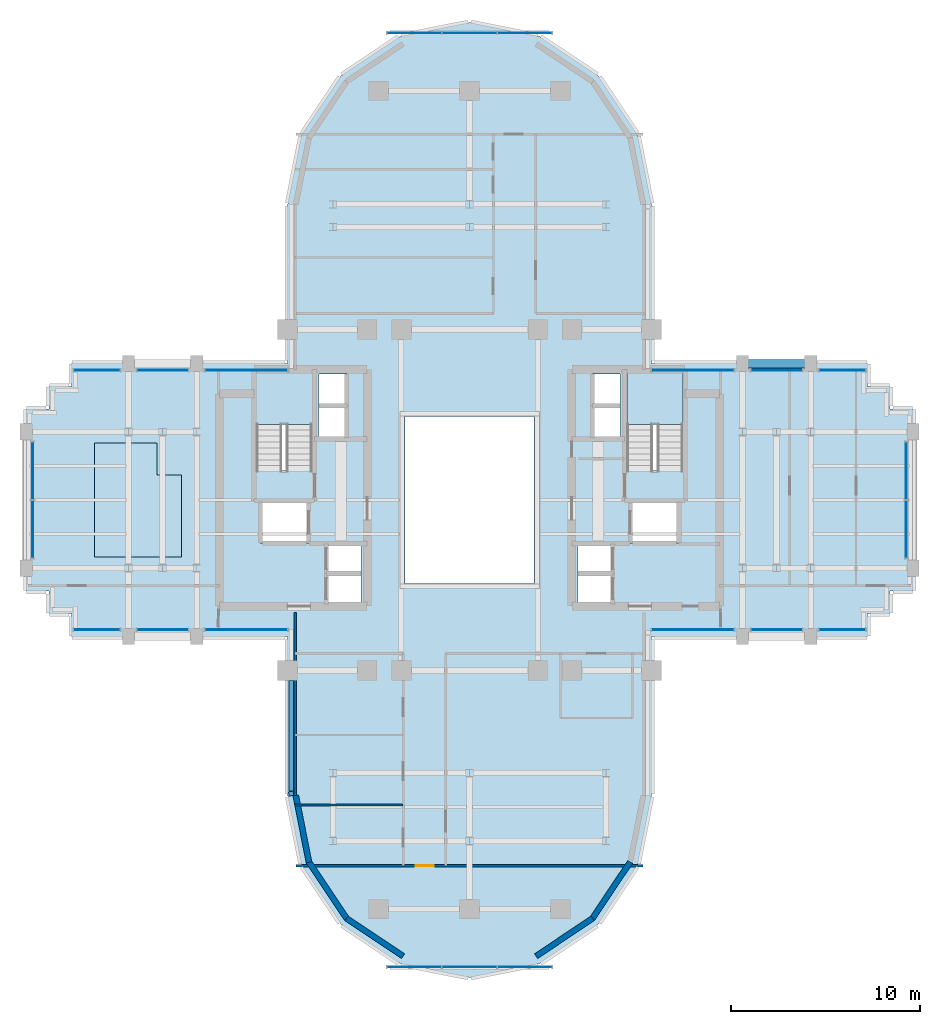
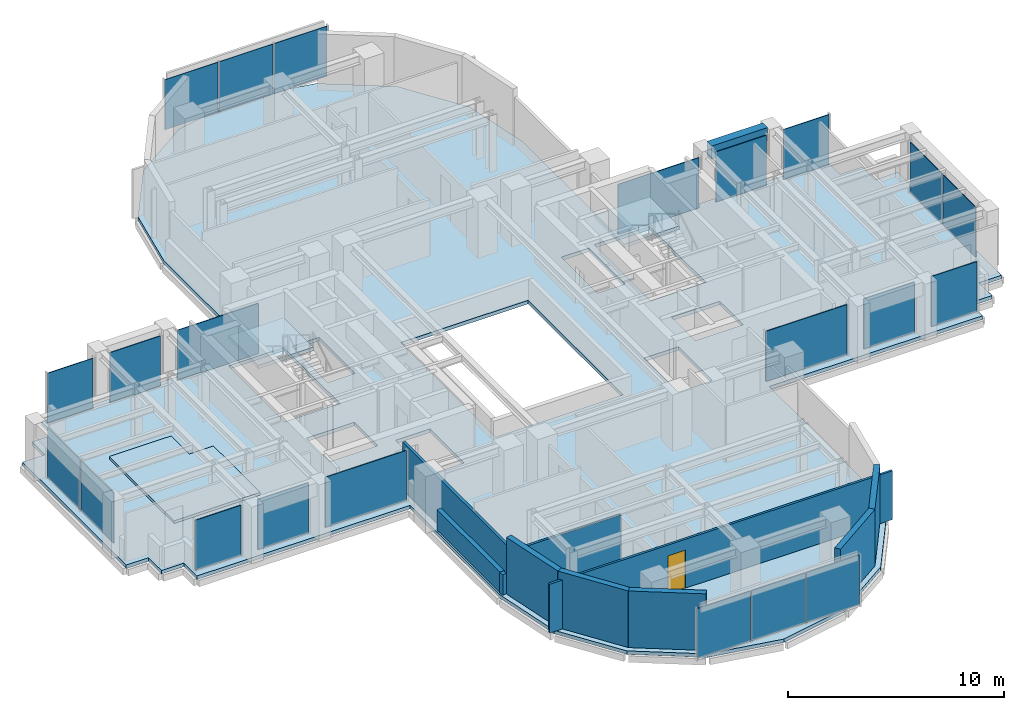
# One storey, part 7 of 13: 22 plates, 10 walls, 4 slabs, 1 beam, 1 door, 1 opening, 18 elements without a shape of their own.
"""IFC4 building model written with IfcOpenShell, lengths in metres."""

from ifc_helpers import new_model, si_unit, direction, frame, frame_2d, origin, origin_2d, place, context, subcontext, project, spatial, polyline, rectangle, outline, extrude, source, transform, mapped, material, layer, layer_set, material_profile, profile_set, type_object, element, fill, aggregate, save


model = new_model("IFC4")

# Units and contexts
model_context = context("Model", 3, precision=1e-05, world=origin(), true_north=direction((0.0, 1.0)))
body_context = subcontext(model_context, "Body", "Model", "MODEL_VIEW")
ifc_project = project(units=[si_unit("LENGTHUNIT", "METRE"), si_unit("AREAUNIT", "SQUARE_METRE"), si_unit("VOLUMEUNIT", "CUBIC_METRE"), si_unit("PLANEANGLEUNIT", "RADIAN"), si_unit("MASSUNIT", "GRAM", prefix="KILO")], contexts=[model_context])

# Site, building, storey
site_placement = place(None, origin())
site = spatial("IfcSite", under=ifc_project, at=site_placement, CompositionType="ELEMENT")
building_placement = place(site_placement, origin())
building = spatial("IfcBuilding", under=site, at=building_placement, Name="Keilestroom Media Tower", CompositionType="ELEMENT")
storey_placement = place(building_placement, frame((0.0, 0.0, 131.199951171875)))
storey = spatial("IfcBuildingStorey", under=building, at=storey_placement, Name="L35", CompositionType="ELEMENT", Elevation=131.199951171875)

# Beam
ifc_material_1 = material(Name="Precast concrete C40/50", Category="concrete")
ifc_material_profile = material_profile(ifc_material_1, rectangle(XDim=0.449951171875, YDim=0.75, at=origin_2d()), Name="PC 450x750")
ifc_profile_set = profile_set([ifc_material_profile], Name="Precast concrete C40/50")
beam_type = type_object("IfcBeamType", Name="Perimeter-Spandrel-Beam-PC-450x750", PredefinedType="SPANDREL", material=ifc_profile_set)
shared_shape_1 = source(origin(), body_context, "Body", "SweptSolid", [
    extrude(rectangle(XDim=0.449951171875, YDim=0.75, at=origin_2d()), origin(), (0.0, 0.0, 1.0), 2.989990234375),
])
beam_placement = place(storey_placement, frame((14.705078125, 7.199951171875, 2.824951171875), z_axis=(1.0, 0.0, 0.0), x_axis=(0.0, 1.0, 0.0)))
element("IfcBeam", 1, at=beam_placement, inside=storey, type_object=beam_type, Name="L35 Beam SPB-1 BM-L35-EW-027", PredefinedType="SPANDREL", context=body_context, shape_type="MappedRepresentation", body=[
    mapped(shared_shape_1, transform((0.0, 0.0, 0.0), x_axis=(1.0, 0.0, 0.0), y_axis=(0.0, 1.0, 0.0), z_axis=(0.0, 0.0, 1.0), scale=1.0)),
])

# Slabs
ifc_material_2 = material(Name="Concrete C50/60", Category="concrete")
ifc_layer_1 = layer(ifc_material_2, 0.199951171875)
ifc_layer_set_1 = layer_set([ifc_layer_1], Name="Concrete C50/60")
slab_type_1 = type_object("IfcSlabType", Name="Composite-Floor-Slab-200", PredefinedType="FLOOR", material=ifc_layer_set_1)
slab_1_placement = place(storey_placement, frame((0.0, 0.0, -0.199951171875)))
element("IfcSlab", 2, at=slab_1_placement, inside=storey, type_object=slab_type_1, Name="L35 Structural Composite Floor Slab", PredefinedType="FLOOR", context=body_context, shape_type="SweptSolid", body=[
    extrude(outline(polyline([(23.39990234375, -4.800048828125), (23.39990234375, 4.800048828125), (22.199951171875, 4.800048828125), (22.199951171875, 6.0), (21.0, 6.0), (21.0, 7.199951171875), (9.60009765625, 7.199951171875), (9.60009765625, 9.60009765625), (9.60009765625, 15.60009765625), (8.869140625, 19.273681640625), (6.7880859375, 22.38818359375), (3.673828125, 24.46923828125), (0.0, 25.199951171875), (-3.673828125, 24.46923828125), (-6.7880859375, 22.38818359375), (-8.869140625, 19.273681640625), (-9.60009765625, 15.60009765625), (-9.60009765625, 9.60009765625), (-9.60009765625, 7.199951171875), (-21.0, 7.199951171875), (-21.0, 6.0), (-22.199951171875, 6.0), (-22.199951171875, 4.800048828125), (-23.39990234375, 4.800048828125), (-23.39990234375, -4.800048828125), (-22.199951171875, -4.800048828125), (-22.199951171875, -6.0), (-21.0, -6.0), (-21.0, -7.199951171875), (-9.60009765625, -7.199951171875), (-9.60009765625, -9.60009765625), (-9.60009765625, -15.60009765625), (-8.869140625, -19.273681640625), (-6.7880859375, -22.38818359375), (-3.673828125, -24.46923828125), (0.0, -25.199951171875), (3.673828125, -24.46923828125), (6.7880859375, -22.38818359375), (8.869140625, -19.273681640625), (9.60009765625, -15.60009765625), (9.60009765625, -9.60009765625), (9.60009765625, -7.199951171875), (21.0, -7.199951171875), (21.0, -6.0), (22.199951171875, -6.0), (22.199951171875, -4.800048828125), (23.39990234375, -4.800048828125)]), holes=[polyline([(-11.260009765625, 1.544921875), (-11.260009765625, 6.760009765625), (-8.300048828125, 6.760009765625), (-8.300048828125, 1.544921875), (-11.260009765625, 1.544921875)]), polyline([(-11.050048828125, -2.280029296875), (-11.050048828125, -0.10009765625), (-8.47998046875, -0.10009765625), (-8.47998046875, -2.280029296875), (-11.050048828125, -2.280029296875)]), polyline([(-7.949951171875, 3.300048828125), (-7.949951171875, 6.64990234375), (-6.47998046875, 6.64990234375), (-6.47998046875, 3.300048828125), (-7.949951171875, 3.300048828125)]), polyline([(-7.56005859375, -2.320068359375), (-5.719970703125, -2.320068359375), (-5.719970703125, -5.47998046875), (-7.56005859375, -5.47998046875), (-7.56005859375, -2.320068359375)]), polyline([(3.39990234375, -4.39990234375), (-3.39990234375, -4.39990234375), (-3.39990234375, 4.39990234375), (3.39990234375, 4.39990234375), (3.39990234375, -4.39990234375)]), polyline([(7.56005859375, -2.320068359375), (7.56005859375, -5.47998046875), (5.719970703125, -5.47998046875), (5.719970703125, -2.320068359375), (7.56005859375, -2.320068359375)]), polyline([(6.47998046875, 3.300048828125), (6.47998046875, 6.64990234375), (7.949951171875, 6.64990234375), (7.949951171875, 3.300048828125), (6.47998046875, 3.300048828125)]), polyline([(8.300048828125, 1.544921875), (8.300048828125, 6.760009765625), (11.260009765625, 6.760009765625), (11.260009765625, 1.544921875), (8.300048828125, 1.544921875)]), polyline([(8.47998046875, -2.280029296875), (8.47998046875, -0.10009765625), (11.050048828125, -0.10009765625), (11.050048828125, -2.280029296875), (8.47998046875, -2.280029296875)])]), origin(), (0.0, 0.0, 1.0), 0.199951171875),
])
ifc_material_3 = material(Name="Concrete C45/55", Category="concrete")
ifc_layer_2 = layer(ifc_material_3, 0.14990234375)
ifc_layer_set_2 = layer_set([ifc_layer_2], Name="Concrete C45/55")
slab_type_2 = type_object("IfcSlabType", Name="Floating-Studio-Floor-Slab-150", PredefinedType="FLOOR", material=ifc_layer_set_2)
slab_2_placement = place(storey_placement, origin())
element("IfcSlab", 3, at=slab_2_placement, inside=storey, type_object=slab_type_2, Name="L35 Acoustic Floating Studio Slab ST-LAW-Z2", PredefinedType="FLOOR", context=body_context, shape_type="SweptSolid", body=[
    extrude(outline(polyline([(-19.800048828125, -3.0), (-15.199951171875, -3.0), (-15.199951171875, 1.320068359375), (-16.488037109375, 1.320068359375), (-16.488037109375, 3.0), (-19.800048828125, 3.0), (-19.800048828125, -3.0)])), origin(), (0.0, 0.0, 1.0), 0.150146484375),
])

# Stair, slab
stair_type = type_object("IfcStairType", Name="Enclosed-Dog-Leg-Stair-ST-CORE", PredefinedType="HALF_TURN_STAIR", material=ifc_material_3)
stair_1_placement = place(storey_placement, origin())
stair_1 = element("IfcStair", 4, at=stair_1_placement, inside=storey, type_object=stair_type, Name="L35 West Core Escape Stair ST-1", PredefinedType="HALF_TURN_STAIR")
ifc_layer_3 = layer(ifc_material_3, 0.199951171875)
ifc_layer_set_3 = layer_set([ifc_layer_3], Name="Concrete C45/55")
slab_type_3 = type_object("IfcSlabType", Name="Stair-Intermediate-And-Top-Landing-Slab-200", PredefinedType="LANDING", material=ifc_layer_set_3)
slab_3_placement = place(storey_placement, frame((0.0, 0.0, 1.5)))
slab_3 = element("IfcSlab", 5, at=slab_3_placement, type_object=slab_type_3, Name="ST-1 landing 1", PredefinedType="LANDING", context=body_context, shape_type="SweptSolid", body=[
    extrude(outline(polyline([(-8.300048828125, 3.99609375), (-8.300048828125, 6.760009765625), (-11.260009765625, 6.760009765625), (-11.260009765625, 3.99609375), (-8.300048828125, 3.99609375)])), origin(), (0.0, 0.0, 1.0), 0.199951171875),
])
aggregate(stair_1, [slab_3])

stair_2_placement = place(storey_placement, origin())
stair_2 = element("IfcStair", 6, at=stair_2_placement, inside=storey, type_object=stair_type, Name="L35 East Core Escape Stair ST-2", PredefinedType="HALF_TURN_STAIR")
slab_4_placement = place(storey_placement, frame((0.0, 0.0, 1.5)))
slab_4 = element("IfcSlab", 7, at=slab_4_placement, type_object=slab_type_3, Name="ST-2 landing 1", PredefinedType="LANDING", context=body_context, shape_type="SweptSolid", body=[
    extrude(outline(polyline([(11.260009765625, 3.99609375), (11.260009765625, 6.760009765625), (8.300048828125, 6.760009765625), (8.300048828125, 3.99609375), (11.260009765625, 3.99609375)])), origin(), (0.0, 0.0, 1.0), 0.199951171875),
])
aggregate(stair_2, [slab_4])

# Curtain wall, plates
ifc_material_4 = material(Name="Anodised Aluminium Alloy", Category="aluminium")
curtain_wall_type_1 = type_object("IfcCurtainWallType", Name="Unitised-Curtain-Wall-CW-6", PredefinedType="NOTDEFINED", material=ifc_material_4)
curtain_wall_1_placement = place(storey_placement, origin())
curtain_wall_1 = element("IfcCurtainWall", 8, at=curtain_wall_1_placement, inside=storey, type_object=curtain_wall_type_1, Name="L35 Curtain Wall CW-6 CW-L35-LN-1", PredefinedType="NOTDEFINED")
ifc_material_5 = material(Name="Curved-Facet Triple Glazed Unit", Category="glass")
ifc_layer_4 = layer(ifc_material_5, 0.033935546875)
ifc_layer_set_4 = layer_set([ifc_layer_4], Name="Curved-Facet Triple Glazed Unit")
plate_type_1 = type_object("IfcPlateType", Name="Insulated-Curtain-Wall-Glazing-Panel-CW-6", PredefinedType="CURTAIN_PANEL", material=ifc_layer_set_4)
shared_shape_2 = source(origin(), body_context, "Body", "SweptSolid", [
    extrude(rectangle(XDim=2.84375, YDim=0.033935546875, at=origin_2d()), origin(), (0.0, 0.0, 1.0), 2.833984375),
])
plate_1_placement = place(storey_placement, frame((-2.9169921875, 24.64990234375, 0.072998046875), z_axis=(0.0, 0.0, 1.0), x_axis=(1.0, 0.0, 0.0)))
plate_1 = element("IfcPlate", 9, at=plate_1_placement, type_object=plate_type_1, Name="CW-6 Unitised Glazing 00", PredefinedType="CURTAIN_PANEL", context=body_context, shape_type="MappedRepresentation", body=[
    mapped(shared_shape_2, transform((0.0, 0.0, 0.0), x_axis=(1.0, 0.0, 0.0), y_axis=(0.0, 1.0, 0.0), z_axis=(0.0, 0.0, 1.0), scale=1.0)),
])
plate_2_placement = place(storey_placement, frame((2.9169921875, 24.64990234375, 0.072998046875), z_axis=(0.0, 0.0, 1.0), x_axis=(1.0, 0.0, 0.0)))
plate_2 = element("IfcPlate", 10, at=plate_2_placement, type_object=plate_type_1, Name="CW-6 Unitised Glazing 02", PredefinedType="CURTAIN_PANEL", context=body_context, shape_type="MappedRepresentation", body=[
    mapped(shared_shape_2, transform((0.0, 0.0, 0.0), x_axis=(1.0, 0.0, 0.0), y_axis=(0.0, 1.0, 0.0), z_axis=(0.0, 0.0, 1.0), scale=1.0)),
])

curtain_wall_2_placement = place(storey_placement, origin())
curtain_wall_2 = element("IfcCurtainWall", 11, at=curtain_wall_2_placement, inside=storey, type_object=curtain_wall_type_1, Name="L35 Curtain Wall CW-6 CW-L35-LS-1", PredefinedType="NOTDEFINED")
plate_3_placement = place(storey_placement, frame((-2.9169921875, -24.64990234375, 0.072998046875), z_axis=(0.0, 0.0, 1.0), x_axis=(1.0, 0.0, 0.0)))
plate_3 = element("IfcPlate", 12, at=plate_3_placement, type_object=plate_type_1, Name="CW-6 Unitised Glazing 00", PredefinedType="CURTAIN_PANEL", context=body_context, shape_type="MappedRepresentation", body=[
    mapped(shared_shape_2, transform((0.0, 0.0, 0.0), x_axis=(1.0, 0.0, 0.0), y_axis=(0.0, 1.0, 0.0), z_axis=(0.0, 0.0, 1.0), scale=1.0)),
])
plate_4_placement = place(storey_placement, frame((2.9169921875, -24.64990234375, 0.072998046875), z_axis=(0.0, 0.0, 1.0), x_axis=(1.0, 0.0, 0.0)))
plate_4 = element("IfcPlate", 13, at=plate_4_placement, type_object=plate_type_1, Name="CW-6 Unitised Glazing 02", PredefinedType="CURTAIN_PANEL", context=body_context, shape_type="MappedRepresentation", body=[
    mapped(shared_shape_2, transform((0.0, 0.0, 0.0), x_axis=(1.0, 0.0, 0.0), y_axis=(0.0, 1.0, 0.0), z_axis=(0.0, 0.0, 1.0), scale=1.0)),
])

# Plate
shared_shape_3 = source(origin(), body_context, "Body", "SweptSolid", [
    extrude(rectangle(XDim=2.876220703125, YDim=0.033935546875, at=origin_2d()), origin(), (0.0, 0.0, 1.0), 2.833984375),
])
plate_5_placement = place(storey_placement, frame((0.0, 24.64990234375, 0.072998046875), z_axis=(0.0, 0.0, 1.0), x_axis=(1.0, 0.0, 0.0)))
plate_5 = element("IfcPlate", 14, at=plate_5_placement, type_object=plate_type_1, Name="CW-6 Unitised Glazing 01", PredefinedType="CURTAIN_PANEL", context=body_context, shape_type="MappedRepresentation", body=[
    mapped(shared_shape_3, transform((0.0, 0.0, 0.0), x_axis=(1.0, 0.0, 0.0), y_axis=(0.0, 1.0, 0.0), z_axis=(0.0, 0.0, 1.0), scale=1.0)),
])

aggregate(curtain_wall_1, [plate_1, plate_5, plate_2])

plate_6_placement = place(storey_placement, frame((0.0, -24.64990234375, 0.072998046875), z_axis=(0.0, 0.0, 1.0), x_axis=(1.0, 0.0, 0.0)))
plate_6 = element("IfcPlate", 15, at=plate_6_placement, type_object=plate_type_1, Name="CW-6 Unitised Glazing 01", PredefinedType="CURTAIN_PANEL", context=body_context, shape_type="MappedRepresentation", body=[
    mapped(shared_shape_3, transform((0.0, 0.0, 0.0), x_axis=(1.0, 0.0, 0.0), y_axis=(0.0, 1.0, 0.0), z_axis=(0.0, 0.0, 1.0), scale=1.0)),
])

aggregate(curtain_wall_2, [plate_3, plate_6, plate_4])

# Curtain wall, plate
curtain_wall_type_2 = type_object("IfcCurtainWallType", Name="Unitised-Curtain-Wall-CW-2", PredefinedType="NOTDEFINED", material=ifc_material_4)
curtain_wall_3_placement = place(storey_placement, origin())
curtain_wall_3 = element("IfcCurtainWall", 16, at=curtain_wall_3_placement, inside=storey, type_object=curtain_wall_type_2, Name="L35 Curtain Wall CW-2 CW-L35-NW-1", PredefinedType="NOTDEFINED")
ifc_material_6 = material(Name="Double Glazed Low-E Unit", Category="glass")
ifc_layer_5 = layer(ifc_material_6, 0.0419921875)
ifc_layer_set_5 = layer_set([ifc_layer_5], Name="Double Glazed Low-E Unit")
plate_type_2 = type_object("IfcPlateType", Name="Insulated-Curtain-Wall-Glazing-Panel-CW-2", PredefinedType="CURTAIN_PANEL", material=ifc_layer_set_5)
shared_shape_4 = source(origin(), body_context, "Body", "SweptSolid", [
    extrude(rectangle(XDim=2.43310546875, YDim=0.0419921875, at=origin_2d()), origin(), (0.0, 0.0, 1.0), 2.833984375),
])
plate_7_placement = place(storey_placement, frame((-19.66748046875, 6.85009765625, 0.072998046875), z_axis=(0.0, 0.0, 1.0), x_axis=(1.0, 0.0, 0.0)))
plate_7 = element("IfcPlate", 17, at=plate_7_placement, type_object=plate_type_2, Name="CW-2 Unitised Glazing 00", PredefinedType="CURTAIN_PANEL", context=body_context, shape_type="MappedRepresentation", body=[
    mapped(shared_shape_4, transform((0.0, 0.0, 0.0), x_axis=(1.0, 0.0, 0.0), y_axis=(0.0, 1.0, 0.0), z_axis=(0.0, 0.0, 1.0), scale=1.0)),
])
aggregate(curtain_wall_3, [plate_7])

curtain_wall_4_placement = place(storey_placement, origin())
curtain_wall_4 = element("IfcCurtainWall", 18, at=curtain_wall_4_placement, inside=storey, type_object=curtain_wall_type_2, Name="L35 Curtain Wall CW-2 CW-L35-NE-3", PredefinedType="NOTDEFINED")
plate_8_placement = place(storey_placement, frame((19.66748046875, 6.85009765625, 0.072998046875), z_axis=(0.0, 0.0, 1.0), x_axis=(1.0, 0.0, 0.0)))
plate_8 = element("IfcPlate", 19, at=plate_8_placement, type_object=plate_type_2, Name="CW-2 Unitised Glazing 00", PredefinedType="CURTAIN_PANEL", context=body_context, shape_type="MappedRepresentation", body=[
    mapped(shared_shape_4, transform((0.0, 0.0, 0.0), x_axis=(1.0, 0.0, 0.0), y_axis=(0.0, 1.0, 0.0), z_axis=(0.0, 0.0, 1.0), scale=1.0)),
])
aggregate(curtain_wall_4, [plate_8])

curtain_wall_5_placement = place(storey_placement, origin())
curtain_wall_5 = element("IfcCurtainWall", 20, at=curtain_wall_5_placement, inside=storey, type_object=curtain_wall_type_2, Name="L35 Curtain Wall CW-2 CW-L35-SW-1", PredefinedType="NOTDEFINED")
plate_9_placement = place(storey_placement, frame((-19.66748046875, -6.85009765625, 0.072998046875), z_axis=(0.0, 0.0, 1.0), x_axis=(1.0, 0.0, 0.0)))
plate_9 = element("IfcPlate", 21, at=plate_9_placement, type_object=plate_type_2, Name="CW-2 Unitised Glazing 00", PredefinedType="CURTAIN_PANEL", context=body_context, shape_type="MappedRepresentation", body=[
    mapped(shared_shape_4, transform((0.0, 0.0, 0.0), x_axis=(1.0, 0.0, 0.0), y_axis=(0.0, 1.0, 0.0), z_axis=(0.0, 0.0, 1.0), scale=1.0)),
])
aggregate(curtain_wall_5, [plate_9])

curtain_wall_6_placement = place(storey_placement, origin())
curtain_wall_6 = element("IfcCurtainWall", 22, at=curtain_wall_6_placement, inside=storey, type_object=curtain_wall_type_2, Name="L35 Curtain Wall CW-2 CW-L35-SE-3", PredefinedType="NOTDEFINED")
plate_10_placement = place(storey_placement, frame((19.66748046875, -6.85009765625, 0.072998046875), z_axis=(0.0, 0.0, 1.0), x_axis=(1.0, 0.0, 0.0)))
plate_10 = element("IfcPlate", 23, at=plate_10_placement, type_object=plate_type_2, Name="CW-2 Unitised Glazing 00", PredefinedType="CURTAIN_PANEL", context=body_context, shape_type="MappedRepresentation", body=[
    mapped(shared_shape_4, transform((0.0, 0.0, 0.0), x_axis=(1.0, 0.0, 0.0), y_axis=(0.0, 1.0, 0.0), z_axis=(0.0, 0.0, 1.0), scale=1.0)),
])
aggregate(curtain_wall_6, [plate_10])

curtain_wall_7_placement = place(storey_placement, origin())
curtain_wall_7 = element("IfcCurtainWall", 24, at=curtain_wall_7_placement, inside=storey, type_object=curtain_wall_type_2, Name="L35 Curtain Wall CW-2 CW-L35-NW-2", PredefinedType="NOTDEFINED")
shared_shape_5 = source(origin(), body_context, "Body", "SweptSolid", [
    extrude(rectangle(XDim=2.697998046875, YDim=0.0419921875, at=origin_2d()), origin(), (0.0, 0.0, 1.0), 2.833984375),
])
plate_11_placement = place(storey_placement, frame((-16.199951171875, 6.85009765625, 0.072998046875), z_axis=(0.0, 0.0, 1.0), x_axis=(1.0, 0.0, 0.0)))
plate_11 = element("IfcPlate", 25, at=plate_11_placement, type_object=plate_type_2, Name="CW-2 Unitised Glazing 00", PredefinedType="CURTAIN_PANEL", context=body_context, shape_type="MappedRepresentation", body=[
    mapped(shared_shape_5, transform((0.0, 0.0, 0.0), x_axis=(1.0, 0.0, 0.0), y_axis=(0.0, 1.0, 0.0), z_axis=(0.0, 0.0, 1.0), scale=1.0)),
])
aggregate(curtain_wall_7, [plate_11])

curtain_wall_8_placement = place(storey_placement, origin())
curtain_wall_8 = element("IfcCurtainWall", 26, at=curtain_wall_8_placement, inside=storey, type_object=curtain_wall_type_2, Name="L35 Curtain Wall CW-2 CW-L35-NE-2", PredefinedType="NOTDEFINED")
plate_12_placement = place(storey_placement, frame((16.199951171875, 6.85009765625, 0.072998046875), z_axis=(0.0, 0.0, 1.0), x_axis=(1.0, 0.0, 0.0)))
plate_12 = element("IfcPlate", 27, at=plate_12_placement, type_object=plate_type_2, Name="CW-2 Unitised Glazing 00", PredefinedType="CURTAIN_PANEL", context=body_context, shape_type="MappedRepresentation", body=[
    mapped(shared_shape_5, transform((0.0, 0.0, 0.0), x_axis=(1.0, 0.0, 0.0), y_axis=(0.0, 1.0, 0.0), z_axis=(0.0, 0.0, 1.0), scale=1.0)),
])
aggregate(curtain_wall_8, [plate_12])

curtain_wall_9_placement = place(storey_placement, origin())
curtain_wall_9 = element("IfcCurtainWall", 28, at=curtain_wall_9_placement, inside=storey, type_object=curtain_wall_type_2, Name="L35 Curtain Wall CW-2 CW-L35-SW-2", PredefinedType="NOTDEFINED")
plate_13_placement = place(storey_placement, frame((-16.199951171875, -6.85009765625, 0.072998046875), z_axis=(0.0, 0.0, 1.0), x_axis=(1.0, 0.0, 0.0)))
plate_13 = element("IfcPlate", 29, at=plate_13_placement, type_object=plate_type_2, Name="CW-2 Unitised Glazing 00", PredefinedType="CURTAIN_PANEL", context=body_context, shape_type="MappedRepresentation", body=[
    mapped(shared_shape_5, transform((0.0, 0.0, 0.0), x_axis=(1.0, 0.0, 0.0), y_axis=(0.0, 1.0, 0.0), z_axis=(0.0, 0.0, 1.0), scale=1.0)),
])
aggregate(curtain_wall_9, [plate_13])

curtain_wall_10_placement = place(storey_placement, origin())
curtain_wall_10 = element("IfcCurtainWall", 30, at=curtain_wall_10_placement, inside=storey, type_object=curtain_wall_type_2, Name="L35 Curtain Wall CW-2 CW-L35-SE-2", PredefinedType="NOTDEFINED")
plate_14_placement = place(storey_placement, frame((16.199951171875, -6.85009765625, 0.072998046875), z_axis=(0.0, 0.0, 1.0), x_axis=(1.0, 0.0, 0.0)))
plate_14 = element("IfcPlate", 31, at=plate_14_placement, type_object=plate_type_2, Name="CW-2 Unitised Glazing 00", PredefinedType="CURTAIN_PANEL", context=body_context, shape_type="MappedRepresentation", body=[
    mapped(shared_shape_5, transform((0.0, 0.0, 0.0), x_axis=(1.0, 0.0, 0.0), y_axis=(0.0, 1.0, 0.0), z_axis=(0.0, 0.0, 1.0), scale=1.0)),
])
aggregate(curtain_wall_10, [plate_14])

curtain_wall_11_placement = place(storey_placement, origin())
curtain_wall_11 = element("IfcCurtainWall", 32, at=curtain_wall_11_placement, inside=storey, type_object=curtain_wall_type_2, Name="L35 Curtain Wall CW-2 CW-L35-NW-3", PredefinedType="NOTDEFINED")
shared_shape_6 = source(origin(), body_context, "Body", "SweptSolid", [
    extrude(rectangle(XDim=4.3330078125, YDim=0.0419921875, at=origin_2d()), origin(), (0.0, 0.0, 1.0), 2.833984375),
])
plate_15_placement = place(storey_placement, frame((-11.782470703125, 6.85009765625, 0.072998046875), z_axis=(0.0, 0.0, 1.0), x_axis=(1.0, 0.0, 0.0)))
plate_15 = element("IfcPlate", 33, at=plate_15_placement, type_object=plate_type_2, Name="CW-2 Unitised Glazing 00", PredefinedType="CURTAIN_PANEL", context=body_context, shape_type="MappedRepresentation", body=[
    mapped(shared_shape_6, transform((0.0, 0.0, 0.0), x_axis=(1.0, 0.0, 0.0), y_axis=(0.0, 1.0, 0.0), z_axis=(0.0, 0.0, 1.0), scale=1.0)),
])
aggregate(curtain_wall_11, [plate_15])

curtain_wall_12_placement = place(storey_placement, origin())
curtain_wall_12 = element("IfcCurtainWall", 34, at=curtain_wall_12_placement, inside=storey, type_object=curtain_wall_type_2, Name="L35 Curtain Wall CW-2 CW-L35-NE-1", PredefinedType="NOTDEFINED")
plate_16_placement = place(storey_placement, frame((11.782470703125, 6.85009765625, 0.072998046875), z_axis=(0.0, 0.0, 1.0), x_axis=(1.0, 0.0, 0.0)))
plate_16 = element("IfcPlate", 35, at=plate_16_placement, type_object=plate_type_2, Name="CW-2 Unitised Glazing 00", PredefinedType="CURTAIN_PANEL", context=body_context, shape_type="MappedRepresentation", body=[
    mapped(shared_shape_6, transform((0.0, 0.0, 0.0), x_axis=(1.0, 0.0, 0.0), y_axis=(0.0, 1.0, 0.0), z_axis=(0.0, 0.0, 1.0), scale=1.0)),
])
aggregate(curtain_wall_12, [plate_16])

curtain_wall_13_placement = place(storey_placement, origin())
curtain_wall_13 = element("IfcCurtainWall", 36, at=curtain_wall_13_placement, inside=storey, type_object=curtain_wall_type_2, Name="L35 Curtain Wall CW-2 CW-L35-SW-3", PredefinedType="NOTDEFINED")
plate_17_placement = place(storey_placement, frame((-11.782470703125, -6.85009765625, 0.072998046875), z_axis=(0.0, 0.0, 1.0), x_axis=(1.0, 0.0, 0.0)))
plate_17 = element("IfcPlate", 37, at=plate_17_placement, type_object=plate_type_2, Name="CW-2 Unitised Glazing 00", PredefinedType="CURTAIN_PANEL", context=body_context, shape_type="MappedRepresentation", body=[
    mapped(shared_shape_6, transform((0.0, 0.0, 0.0), x_axis=(1.0, 0.0, 0.0), y_axis=(0.0, 1.0, 0.0), z_axis=(0.0, 0.0, 1.0), scale=1.0)),
])
aggregate(curtain_wall_13, [plate_17])

curtain_wall_14_placement = place(storey_placement, origin())
curtain_wall_14 = element("IfcCurtainWall", 38, at=curtain_wall_14_placement, inside=storey, type_object=curtain_wall_type_2, Name="L35 Curtain Wall CW-2 CW-L35-SE-1", PredefinedType="NOTDEFINED")
plate_18_placement = place(storey_placement, frame((11.782470703125, -6.85009765625, 0.072998046875), z_axis=(0.0, 0.0, 1.0), x_axis=(1.0, 0.0, 0.0)))
plate_18 = element("IfcPlate", 39, at=plate_18_placement, type_object=plate_type_2, Name="CW-2 Unitised Glazing 00", PredefinedType="CURTAIN_PANEL", context=body_context, shape_type="MappedRepresentation", body=[
    mapped(shared_shape_6, transform((0.0, 0.0, 0.0), x_axis=(1.0, 0.0, 0.0), y_axis=(0.0, 1.0, 0.0), z_axis=(0.0, 0.0, 1.0), scale=1.0)),
])
aggregate(curtain_wall_14, [plate_18])

# Curtain wall, plates
curtain_wall_15_placement = place(storey_placement, origin())
curtain_wall_15 = element("IfcCurtainWall", 40, at=curtain_wall_15_placement, inside=storey, type_object=curtain_wall_type_2, Name="L35 Curtain Wall CW-2 CW-L35-W-1", PredefinedType="NOTDEFINED")
shared_shape_7 = source(origin(), body_context, "Body", "SweptSolid", [
    extrude(rectangle(XDim=3.01806640625, YDim=0.0419921875, at=origin_2d()), origin(), (0.0, 0.0, 1.0), 2.833984375),
])
plate_19_placement = place(storey_placement, frame((-23.050048828125, -1.5400390625, 0.072998046875), z_axis=(0.0, 0.0, 1.0), x_axis=(0.0, 1.0, 0.0)))
plate_19 = element("IfcPlate", 41, at=plate_19_placement, type_object=plate_type_2, Name="CW-2 Unitised Glazing 00", PredefinedType="CURTAIN_PANEL", context=body_context, shape_type="MappedRepresentation", body=[
    mapped(shared_shape_7, transform((0.0, 0.0, 0.0), x_axis=(1.0, 0.0, 0.0), y_axis=(0.0, 1.0, 0.0), z_axis=(0.0, 0.0, 1.0), scale=1.0)),
])
plate_20_placement = place(storey_placement, frame((-23.050048828125, 1.5400390625, 0.072998046875), z_axis=(0.0, 0.0, 1.0), x_axis=(0.0, 1.0, 0.0)))
plate_20 = element("IfcPlate", 42, at=plate_20_placement, type_object=plate_type_2, Name="CW-2 Unitised Glazing 01", PredefinedType="CURTAIN_PANEL", context=body_context, shape_type="MappedRepresentation", body=[
    mapped(shared_shape_7, transform((0.0, 0.0, 0.0), x_axis=(1.0, 0.0, 0.0), y_axis=(0.0, 1.0, 0.0), z_axis=(0.0, 0.0, 1.0), scale=1.0)),
])
aggregate(curtain_wall_15, [plate_19, plate_20])

curtain_wall_16_placement = place(storey_placement, origin())
curtain_wall_16 = element("IfcCurtainWall", 43, at=curtain_wall_16_placement, inside=storey, type_object=curtain_wall_type_2, Name="L35 Curtain Wall CW-2 CW-L35-E-1", PredefinedType="NOTDEFINED")
plate_21_placement = place(storey_placement, frame((23.050048828125, -1.5400390625, 0.072998046875), z_axis=(0.0, 0.0, 1.0), x_axis=(0.0, 1.0, 0.0)))
plate_21 = element("IfcPlate", 44, at=plate_21_placement, type_object=plate_type_2, Name="CW-2 Unitised Glazing 00", PredefinedType="CURTAIN_PANEL", context=body_context, shape_type="MappedRepresentation", body=[
    mapped(shared_shape_7, transform((0.0, 0.0, 0.0), x_axis=(1.0, 0.0, 0.0), y_axis=(0.0, 1.0, 0.0), z_axis=(0.0, 0.0, 1.0), scale=1.0)),
])
plate_22_placement = place(storey_placement, frame((23.050048828125, 1.5400390625, 0.072998046875), z_axis=(0.0, 0.0, 1.0), x_axis=(0.0, 1.0, 0.0)))
plate_22 = element("IfcPlate", 45, at=plate_22_placement, type_object=plate_type_2, Name="CW-2 Unitised Glazing 01", PredefinedType="CURTAIN_PANEL", context=body_context, shape_type="MappedRepresentation", body=[
    mapped(shared_shape_7, transform((0.0, 0.0, 0.0), x_axis=(1.0, 0.0, 0.0), y_axis=(0.0, 1.0, 0.0), z_axis=(0.0, 0.0, 1.0), scale=1.0)),
])
aggregate(curtain_wall_16, [plate_21, plate_22])

# Walls
ifc_layer_6 = layer(ifc_material_1, 0.300048828125)
ifc_layer_set_6 = layer_set([ifc_layer_6], Name="Precast concrete C40/50")
wall_type_1 = type_object("IfcWallType", Name="Exterior-Masonry-Spandrel-Wall-300", PredefinedType="SOLIDWALL", material=ifc_layer_set_6)
for number, where, z_axis, x_axis, name in (
    (46, (-9.1748046875, -15.585205078125, 0.0), (0.0, 0.0, 1.0), (0.195114232679, -0.980780523974, 0.0), "L35 Lobe Facet Precast Frame Wall 07"),
    (47, (-8.48193359375, -19.097412109375, 0.0), (0.0, 0.0, 1.0), (0.555574187116, -0.831466970246, 0.0), "L35 Lobe Facet Precast Frame Wall 08"),
):
    element("IfcWall", number, at=place(storey_placement, frame(where, z_axis=z_axis, x_axis=x_axis)), inside=storey, type_object=wall_type_1, Name=name, PredefinedType="SOLIDWALL", context=body_context, shape_type="SweptSolid", body=[
        extrude(rectangle(XDim=3.608642578125, YDim=0.300048828125, at=frame_2d((1.80419921875, 0.0))), origin(), (0.0, 0.0, 1.0), 3.199951171875),
    ])
for number, where, z_axis, x_axis, name in (
    (48, (-6.497802734375, -22.0771484375, 0.0), (0.0, 0.0, 1.0), (0.8314749531, -0.555562239868, 0.0), "L35 Lobe Facet Precast Frame Wall 09"),
    (49, (3.510009765625, -24.073486328125, 0.0), (0.0, 0.0, 1.0), (0.8314749531, 0.555562239868, 0.0), "L35 Lobe Facet Precast Frame Wall 10"),
):
    element("IfcWall", number, at=place(storey_placement, frame(where, z_axis=z_axis, x_axis=x_axis)), inside=storey, type_object=wall_type_1, Name=name, PredefinedType="SOLIDWALL", context=body_context, shape_type="SweptSolid", body=[
        extrude(rectangle(XDim=3.59326171875, YDim=0.300048828125, at=frame_2d((1.796630859375, 0.0))), origin(), (0.0, 0.0, 1.0), 3.199951171875),
    ])
wall_1_placement = place(storey_placement, frame((6.47705078125, -22.097900390625, 0.0), z_axis=(0.0, 0.0, 1.0), x_axis=(0.555574187116, 0.831466970246, 0.0)))
element("IfcWall", 50, at=wall_1_placement, inside=storey, type_object=wall_type_1, Name="L35 Lobe Facet Precast Frame Wall 11", PredefinedType="SOLIDWALL", context=body_context, shape_type="SweptSolid", body=[
    extrude(rectangle(XDim=3.608642578125, YDim=0.300048828125, at=frame_2d((1.80419921875, 0.0))), origin(), (0.0, 0.0, 1.0), 3.199951171875),
])

# Wall, opening, door
ifc_material_7 = material(Name="Gypsum Plasterboard & Steel Stud", Category="steel")
ifc_layer_7 = layer(ifc_material_7, 0.1201171875)
ifc_layer_set_7 = layer_set([ifc_layer_7], Name="Gypsum Plasterboard & Steel Stud")
wall_type_2 = type_object("IfcWallType", Name="Interior-Partition-Wall-120", PredefinedType="PARTITIONING", material=ifc_layer_set_7)
wall_2_placement = place(storey_placement, frame((-9.159912109375, -19.300048828125, 0.0), z_axis=(0.0, 0.0, 1.0), x_axis=(1.0, 0.0, 0.0)))
wall_2 = element("IfcWall", 51, at=wall_2_placement, inside=storey, type_object=wall_type_2, Name="L35 Interior Wall WP-L35-SL-STIPW", PredefinedType="PARTITIONING", context=body_context, shape_type="SweptSolid", body=[
    extrude(rectangle(XDim=18.31982421875, YDim=0.1201171875, at=frame_2d((9.159912109375, 0.0))), origin(), (0.0, 0.0, 1.0), 2.760009765625),
])
opening_placement = place(wall_2_placement, frame((6.31005859375, 0.0, 0.0)))
opening = element("IfcOpeningElement", 52, at=opening_placement, cuts=wall_2, Name="Opening DI-03", PredefinedType="OPENING", context=body_context, shape_type="SweptSolid", body=[
    extrude(rectangle(XDim=0.949951171875, YDim=2.14990234375, at=frame_2d((0.47509765625, 1.074951171875))), frame((0.0, 0.070068359375, 0.0), z_axis=(0.0, -1.0, 0.0), x_axis=(1.0, 0.0, 0.0)), (0.0, 0.0, 1.0), 0.14013671875),
])
ifc_material_8 = material(Name="Lacquered European Oak Leaf", Category="wood")
door_type = type_object("IfcDoorType", Name="Interior-Room-And-Suite-Door-DI-03", OperationType="NOTDEFINED", PredefinedType="DOOR", material=ifc_material_8)
shared_shape_8 = source(origin(), body_context, "Body", "SweptSolid", [
    extrude(rectangle(XDim=0.949951171875, YDim=2.14990234375, at=frame_2d((0.47509765625, 1.074951171875))), frame((0.0, 0.02490234375, 0.0), z_axis=(0.0, -1.0, 0.0), x_axis=(1.0, 0.0, 0.0)), (0.0, 0.0, 1.0), 0.050048828125),
])
door_placement = place(opening_placement, origin())
door = element("IfcDoor", 53, at=door_placement, inside=storey, type_object=door_type, Name="L35 Interior Door DI-L35-DSL-TIP", OperationType="SINGLE_SWING_LEFT", OverallHeight=2.14990234375, OverallWidth=0.949951171875, PredefinedType="DOOR", context=body_context, shape_type="MappedRepresentation", body=[
    mapped(shared_shape_8, transform((0.0, 0.0, 0.0), x_axis=(1.0, 0.0, 0.0), y_axis=(0.0, 1.0, 0.0), z_axis=(0.0, 0.0, 1.0), scale=1.0)),
])
fill(opening, door)

# Walls
wall_3_placement = place(storey_placement, frame((-9.199951171875, -16.10009765625, 0.0), z_axis=(0.0, 0.0, 1.0), x_axis=(1.0, 0.0, 0.0)))
element("IfcWall", 54, at=wall_3_placement, inside=storey, type_object=wall_type_2, Name="L35 Interior Wall WP-L35-SL-HW1", PredefinedType="PARTITIONING", context=body_context, shape_type="SweptSolid", body=[
    extrude(rectangle(XDim=5.699951171875, YDim=0.1201171875, at=frame_2d((2.85009765625, 0.0))), origin(), (0.0, 0.0, 1.0), 2.760009765625),
])
ifc_layer_8 = layer(ifc_material_7, 0.14990234375)
ifc_layer_set_8 = layer_set([ifc_layer_8], Name="Gypsum Plasterboard & Steel Stud")
wall_type_3 = type_object("IfcWallType", Name="Interior-Partition-Wall-150", PredefinedType="PARTITIONING", material=ifc_layer_set_8)
wall_4_placement = place(storey_placement, frame((-9.199951171875, -15.679931640625, 0.0), z_axis=(0.0, 0.0, 1.0), x_axis=(0.0, 1.0, 0.0)))
element("IfcWall", 55, at=wall_4_placement, inside=storey, type_object=wall_type_3, Name="L35 Interior Wall WP-L35-SL-CHKW", PredefinedType="PARTITIONING", context=body_context, shape_type="SweptSolid", body=[
    extrude(rectangle(XDim=9.739990234375, YDim=0.14990234375, at=frame_2d((4.8701171875, 0.0))), origin(), (0.0, 0.0, 1.0), 2.699951171875),
])
ifc_layer_9 = layer(ifc_material_1, 0.239990234375)
ifc_layer_set_9 = layer_set([ifc_layer_9], Name="Precast concrete C40/50")
wall_type_4 = type_object("IfcWallType", Name="Roof-And-Terrace-Parapet-Wall-240", PredefinedType="PARAPET", material=ifc_layer_set_9)
wall_5_placement = place(storey_placement, frame((-9.395263671875, -15.604248046875, 0.0), z_axis=(0.0, 0.0, 1.0), x_axis=(-0.194652052864, 0.980872355771, 0.0)))
element("IfcWall", 56, at=wall_5_placement, inside=storey, type_object=wall_type_4, Name="L35 Perimeter Edge Parapet Wall 07", PredefinedType="PARAPET", context=body_context, shape_type="SweptSolid", body=[
    extrude(rectangle(XDim=0.224609375, YDim=0.239990234375, at=frame_2d((0.1123046875, 0.0))), origin(), (0.0, 0.0, 1.0), 1.150146484375),
])
wall_6_placement = place(storey_placement, frame((-9.39990234375, -15.357666015625, 0.0), z_axis=(0.0, 0.0, 1.0), x_axis=(0.0, 1.0, 0.0)))
element("IfcWall", 57, at=wall_6_placement, inside=storey, type_object=wall_type_4, Name="L35 Perimeter Edge Parapet Wall 08", PredefinedType="PARAPET", context=body_context, shape_type="SweptSolid", body=[
    extrude(rectangle(XDim=5.82958984375, YDim=0.239990234375, at=frame_2d((2.914794921875, 0.0))), origin(), (0.0, 0.0, 1.0), 1.150146484375),
])

save(model, "model.ifc")
